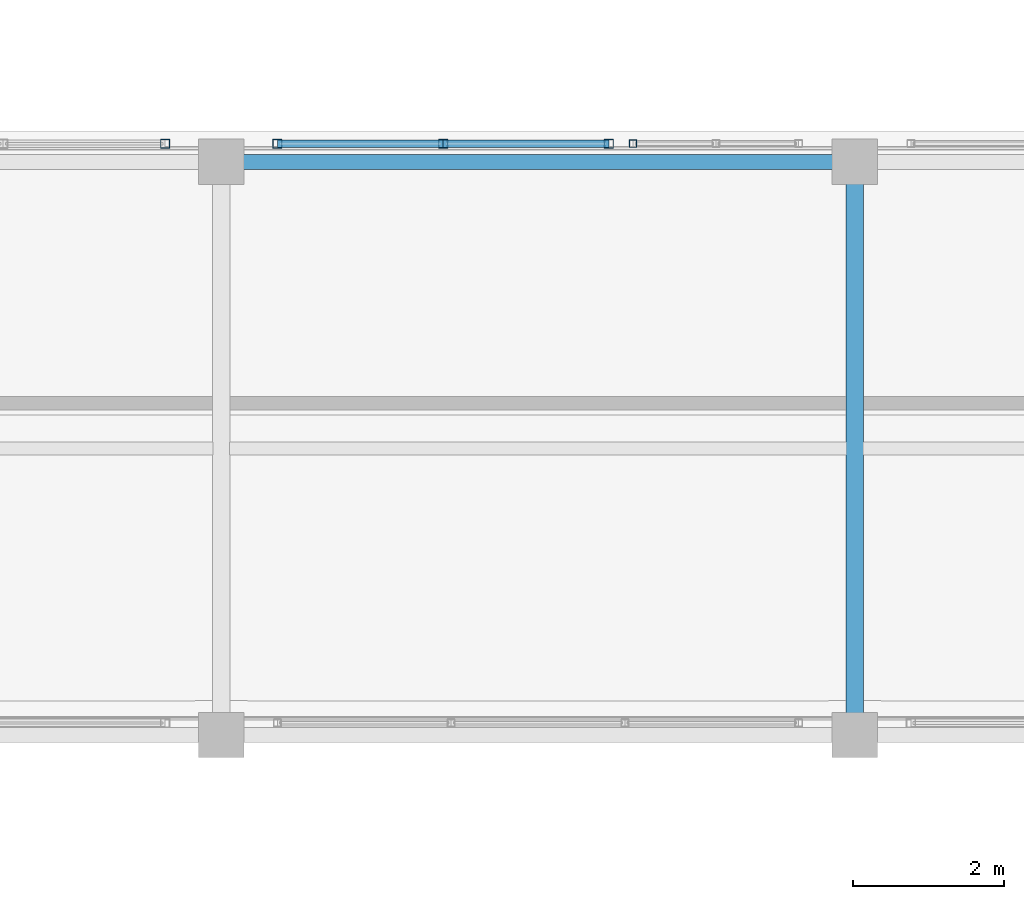
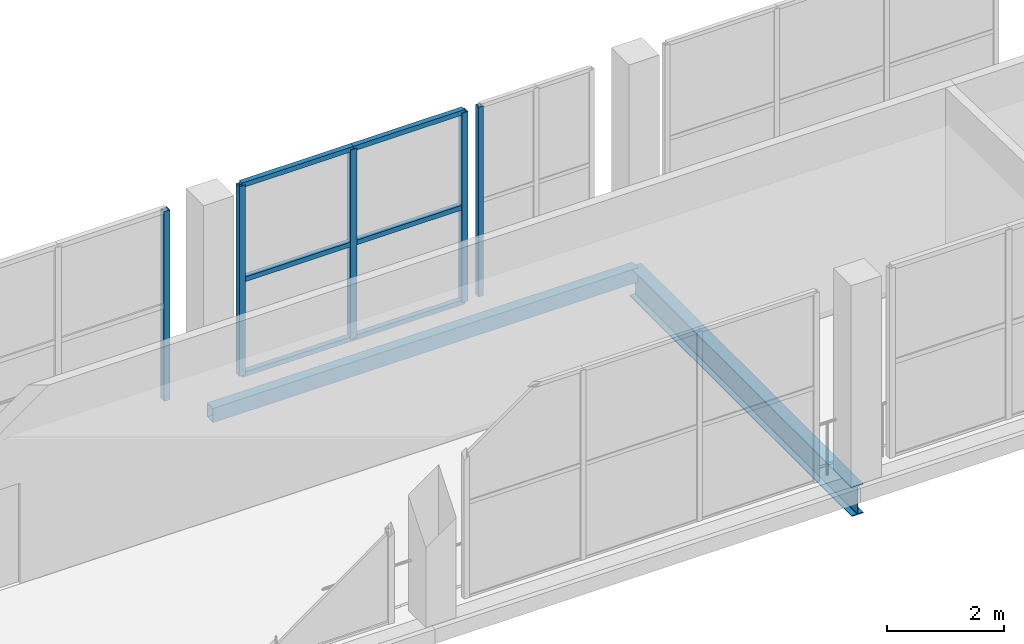
# One storey, part 38 of 151: 11 members, 2 beams, 3 elements without a shape of their own.
"""IFC4 building model written with IfcOpenShell, lengths in metres."""

from ifc_helpers import new_model, si_unit, direction, frame, origin, origin_2d, place, context, subcontext, project, spatial, hollow_rectangle, i_section, extrude, material, material_profile, profile_set, type_object, element, aggregate, save


model = new_model("IFC4")

# Units and contexts
model_context = context("Model", 3, precision=1e-05, world=origin(), true_north=direction((0.0, 1.0)))
body_context = subcontext(model_context, "Body", "Model", "MODEL_VIEW")
ifc_project = project(units=[si_unit("LENGTHUNIT", "METRE"), si_unit("AREAUNIT", "SQUARE_METRE"), si_unit("VOLUMEUNIT", "CUBIC_METRE"), si_unit("PLANEANGLEUNIT", "RADIAN"), si_unit("MASSUNIT", "GRAM", prefix="KILO")], contexts=[model_context])

# Site, building, storey
site_placement = place(None, origin())
site = spatial("IfcSite", under=ifc_project, at=site_placement, CompositionType="ELEMENT")
building_placement = place(site_placement, origin())
building = spatial("IfcBuilding", under=site, at=building_placement, Name="Zuvorla Pavilion Media Centre", CompositionType="ELEMENT")
storey_placement = place(building_placement, frame((0.0, 0.0, 13.800048828125)))
storey = spatial("IfcBuildingStorey", under=building, at=storey_placement, Name="L03", CompositionType="ELEMENT", Elevation=13.800048828125)

# Beams
ifc_material_1 = material(Name="Steel S355", Category="steel")
ifc_material_profile_1 = material_profile(ifc_material_1, hollow_rectangle(XDim=0.199951171875, YDim=0.300048828125, WallThickness=0.012451171875, at=origin_2d()), Name="RHS 300x200x12.5")
ifc_profile_set_1 = profile_set([ifc_material_profile_1], Name="Steel S355")
beam_type_1 = type_object("IfcBeamType", Name="BM-SP-RHS300", PredefinedType="SPANDREL", material=ifc_profile_set_1)
beam_1_placement = place(storey_placement, frame((75.199951171875, 51.60009765625, -0.407958984375), z_axis=(1.0, 0.0, 0.0), x_axis=(0.0, 1.0, 0.0)))
element("IfcBeam", 1, at=beam_1_placement, inside=storey, type_object=beam_type_1, Name="L03 spandrel SP01 1098", PredefinedType="SPANDREL", context=body_context, shape_type="SweptSolid", body=[
    extrude(hollow_rectangle(XDim=0.199951171875, YDim=0.300048828125, WallThickness=0.012451171875, at=origin_2d()), origin(), (0.0, 0.0, 1.0), 8.400146484375),
])
ifc_material_profile_2 = material_profile(ifc_material_1, i_section(OverallWidth=0.22900390625, OverallDepth=0.6123046875, WebThickness=0.011962890625, FlangeThickness=0.01953125, FilletRadius=0.0126953125, at=origin_2d()), Name="UB 610x229x125")
ifc_profile_set_2 = profile_set([ifc_material_profile_2], Name="Steel S355")
beam_type_2 = type_object("IfcBeamType", Name="BM-UB610", PredefinedType="BEAM", material=ifc_profile_set_2)
beam_2_placement = place(storey_placement, frame((83.60009765625, 44.0, -0.564208984375), z_axis=(0.0, 1.0, 0.0), x_axis=(-1.0, 0.0, 0.0)))
element("IfcBeam", 2, at=beam_2_placement, inside=storey, type_object=beam_type_2, Name="L03 beam B07 1192", PredefinedType="BEAM", context=body_context, shape_type="SweptSolid", body=[
    extrude(i_section(OverallWidth=0.22900390625, OverallDepth=0.6123046875, WebThickness=0.011962890625, FlangeThickness=0.01953125, FilletRadius=0.0126953125, at=origin_2d()), origin(), (0.0, 0.0, 1.0), 7.60009765625),
])

# Curtain wall, member
ifc_material_2 = material(Name="Unitised anodised aluminium and solar glass curtain wall", Category="aluminium")
curtain_wall_type_1 = type_object("IfcCurtainWallType", Name="CW-SYS-50", PredefinedType="USERDEFINED", material=ifc_material_2)
curtain_wall_1_placement = place(storey_placement, origin())
curtain_wall_1 = element("IfcCurtainWall", 3, at=curtain_wall_1_placement, inside=storey, type_object=curtain_wall_type_1, Name="L03 curtain wall CW50 164", ObjectType="CURTAIN WALL", PredefinedType="USERDEFINED")
ifc_material_3 = material(Name="Anodised aluminium 6063-T6", Category="aluminium")
ifc_material_profile_3 = material_profile(ifc_material_3, hollow_rectangle(XDim=0.10009765625, YDim=0.10009765625, WallThickness=0.00439453125, at=origin_2d()), Name="ALU MULL 100x100")
ifc_profile_set_3 = profile_set([ifc_material_profile_3], Name="Anodised aluminium 6063-T6")
member_type_1 = type_object("IfcMemberType", Name="CW-MULL-100", PredefinedType="MULLION", material=ifc_profile_set_3)
member_1_placement = place(storey_placement, frame((80.659912109375, 51.840087890625, 0.0), z_axis=(0.0, 0.0, 1.0), x_axis=(1.0, 0.0, 0.0)))
member_1 = element("IfcMember", 4, at=member_1_placement, type_object=member_type_1, Name="CW50 mullion 1", PredefinedType="MULLION", context=body_context, shape_type="SweptSolid", body=[
    extrude(hollow_rectangle(XDim=0.10009765625, YDim=0.10009765625, WallThickness=0.00439453125, at=origin_2d()), origin(), (0.0, 0.0, 1.0), 3.9599609375),
])
aggregate(curtain_wall_1, [member_1])

curtain_wall_type_2 = type_object("IfcCurtainWallType", Name="CW-SYS-41", PredefinedType="USERDEFINED", material=ifc_material_2)
curtain_wall_2_placement = place(storey_placement, origin())
curtain_wall_2 = element("IfcCurtainWall", 5, at=curtain_wall_2_placement, inside=storey, type_object=curtain_wall_type_2, Name="L03 curtain wall CW41 160", ObjectType="CURTAIN WALL", PredefinedType="USERDEFINED")
ifc_material_profile_4 = material_profile(ifc_material_3, hollow_rectangle(XDim=0.1201171875, YDim=0.1201171875, WallThickness=0.0048828125, at=origin_2d()), Name="ALU MULL 120x120")
ifc_profile_set_4 = profile_set([ifc_material_profile_4], Name="Anodised aluminium 6063-T6")
member_type_2 = type_object("IfcMemberType", Name="CW-MULL-120", PredefinedType="MULLION", material=ifc_profile_set_4)
member_2_placement = place(storey_placement, frame((74.455810546875, 51.840087890625, 0.0), z_axis=(0.0, 0.0, 1.0), x_axis=(1.0, 0.0, 0.0)))
member_2 = element("IfcMember", 6, at=member_2_placement, type_object=member_type_2, Name="CW41 mullion 3", PredefinedType="MULLION", context=body_context, shape_type="SweptSolid", body=[
    extrude(hollow_rectangle(XDim=0.1201171875, YDim=0.1201171875, WallThickness=0.0048828125, at=origin_2d()), origin(), (0.0, 0.0, 1.0), 3.9599609375),
])
aggregate(curtain_wall_2, [member_2])

# Curtain wall, members
curtain_wall_type_3 = type_object("IfcCurtainWallType", Name="CW-SYS-78", PredefinedType="USERDEFINED", material=ifc_material_2)
curtain_wall_3_placement = place(storey_placement, origin())
curtain_wall_3 = element("IfcCurtainWall", 7, at=curtain_wall_3_placement, inside=storey, type_object=curtain_wall_type_3, Name="L03 curtain wall CW78 161", ObjectType="CURTAIN WALL", PredefinedType="USERDEFINED")
member_3_placement = place(storey_placement, frame((75.9443359375, 51.840087890625, 0.0), z_axis=(0.0, 0.0, 1.0), x_axis=(1.0, 0.0, 0.0)))
member_3 = element("IfcMember", 8, at=member_3_placement, type_object=member_type_2, Name="CW78 mullion 1", PredefinedType="MULLION", context=body_context, shape_type="SweptSolid", body=[
    extrude(hollow_rectangle(XDim=0.1201171875, YDim=0.1201171875, WallThickness=0.0048828125, at=origin_2d()), origin(), (0.0, 0.0, 1.0), 3.9599609375),
])
member_4_placement = place(storey_placement, frame((78.14208984375, 51.840087890625, 0.0), z_axis=(0.0, 0.0, 1.0), x_axis=(1.0, 0.0, 0.0)))
member_4 = element("IfcMember", 9, at=member_4_placement, type_object=member_type_2, Name="CW78 mullion 2", PredefinedType="MULLION", context=body_context, shape_type="SweptSolid", body=[
    extrude(hollow_rectangle(XDim=0.1201171875, YDim=0.1201171875, WallThickness=0.0048828125, at=origin_2d()), origin(), (0.0, 0.0, 1.0), 3.9599609375),
])
member_5_placement = place(storey_placement, frame((80.340087890625, 51.840087890625, 0.0), z_axis=(0.0, 0.0, 1.0), x_axis=(1.0, 0.0, 0.0)))
member_5 = element("IfcMember", 10, at=member_5_placement, type_object=member_type_2, Name="CW78 mullion 3", PredefinedType="MULLION", context=body_context, shape_type="SweptSolid", body=[
    extrude(hollow_rectangle(XDim=0.1201171875, YDim=0.1201171875, WallThickness=0.0048828125, at=origin_2d()), origin(), (0.0, 0.0, 1.0), 3.9599609375),
])
ifc_material_profile_5 = material_profile(ifc_material_3, hollow_rectangle(XDim=0.10009765625, YDim=0.10009765625, WallThickness=0.00439453125, at=origin_2d()), Name="ALU TRAN 100x100")
ifc_profile_set_5 = profile_set([ifc_material_profile_5], Name="Anodised aluminium 6063-T6")
member_type_3 = type_object("IfcMemberType", Name="CW-TRAN-100", PredefinedType="USERDEFINED", material=ifc_profile_set_5)
member_6_placement = place(storey_placement, frame((75.9443359375, 51.840087890625, 0.0), z_axis=(1.0, 0.0, 0.0), x_axis=(0.0, 1.0, 0.0)))
member_6 = element("IfcMember", 11, at=member_6_placement, type_object=member_type_3, Name="CW78 transom 1.1", ObjectType="TRANSOM", PredefinedType="USERDEFINED", context=body_context, shape_type="SweptSolid", body=[
    extrude(hollow_rectangle(XDim=0.10009765625, YDim=0.10009765625, WallThickness=0.00439453125, at=origin_2d()), origin(), (0.0, 0.0, 1.0), 2.19775390625),
])
member_7_placement = place(storey_placement, frame((75.9443359375, 51.840087890625, 1.97998046875), z_axis=(1.0, 0.0, 0.0), x_axis=(0.0, 1.0, 0.0)))
member_7 = element("IfcMember", 12, at=member_7_placement, type_object=member_type_3, Name="CW78 transom 1.2", ObjectType="TRANSOM", PredefinedType="USERDEFINED", context=body_context, shape_type="SweptSolid", body=[
    extrude(hollow_rectangle(XDim=0.10009765625, YDim=0.10009765625, WallThickness=0.00439453125, at=origin_2d()), origin(), (0.0, 0.0, 1.0), 2.19775390625),
])
member_8_placement = place(storey_placement, frame((75.9443359375, 51.840087890625, 3.9599609375), z_axis=(1.0, 0.0, 0.0), x_axis=(0.0, 1.0, 0.0)))
member_8 = element("IfcMember", 13, at=member_8_placement, type_object=member_type_3, Name="CW78 transom 1.3", ObjectType="TRANSOM", PredefinedType="USERDEFINED", context=body_context, shape_type="SweptSolid", body=[
    extrude(hollow_rectangle(XDim=0.10009765625, YDim=0.10009765625, WallThickness=0.00439453125, at=origin_2d()), origin(), (0.0, 0.0, 1.0), 2.19775390625),
])
member_9_placement = place(storey_placement, frame((78.14208984375, 51.840087890625, 0.0), z_axis=(1.0, 0.0, 0.0), x_axis=(0.0, 1.0, 0.0)))
member_9 = element("IfcMember", 14, at=member_9_placement, type_object=member_type_3, Name="CW78 transom 2.1", ObjectType="TRANSOM", PredefinedType="USERDEFINED", context=body_context, shape_type="SweptSolid", body=[
    extrude(hollow_rectangle(XDim=0.10009765625, YDim=0.10009765625, WallThickness=0.00439453125, at=origin_2d()), origin(), (0.0, 0.0, 1.0), 2.197998046875),
])
member_10_placement = place(storey_placement, frame((78.14208984375, 51.840087890625, 1.97998046875), z_axis=(1.0, 0.0, 0.0), x_axis=(0.0, 1.0, 0.0)))
member_10 = element("IfcMember", 15, at=member_10_placement, type_object=member_type_3, Name="CW78 transom 2.2", ObjectType="TRANSOM", PredefinedType="USERDEFINED", context=body_context, shape_type="SweptSolid", body=[
    extrude(hollow_rectangle(XDim=0.10009765625, YDim=0.10009765625, WallThickness=0.00439453125, at=origin_2d()), origin(), (0.0, 0.0, 1.0), 2.197998046875),
])
member_11_placement = place(storey_placement, frame((78.14208984375, 51.840087890625, 3.9599609375), z_axis=(1.0, 0.0, 0.0), x_axis=(0.0, 1.0, 0.0)))
member_11 = element("IfcMember", 16, at=member_11_placement, type_object=member_type_3, Name="CW78 transom 2.3", ObjectType="TRANSOM", PredefinedType="USERDEFINED", context=body_context, shape_type="SweptSolid", body=[
    extrude(hollow_rectangle(XDim=0.10009765625, YDim=0.10009765625, WallThickness=0.00439453125, at=origin_2d()), origin(), (0.0, 0.0, 1.0), 2.197998046875),
])
aggregate(curtain_wall_3, [member_3, member_4, member_5, member_6, member_7, member_8, member_9, member_10, member_11])

save(model, "model.ifc")
